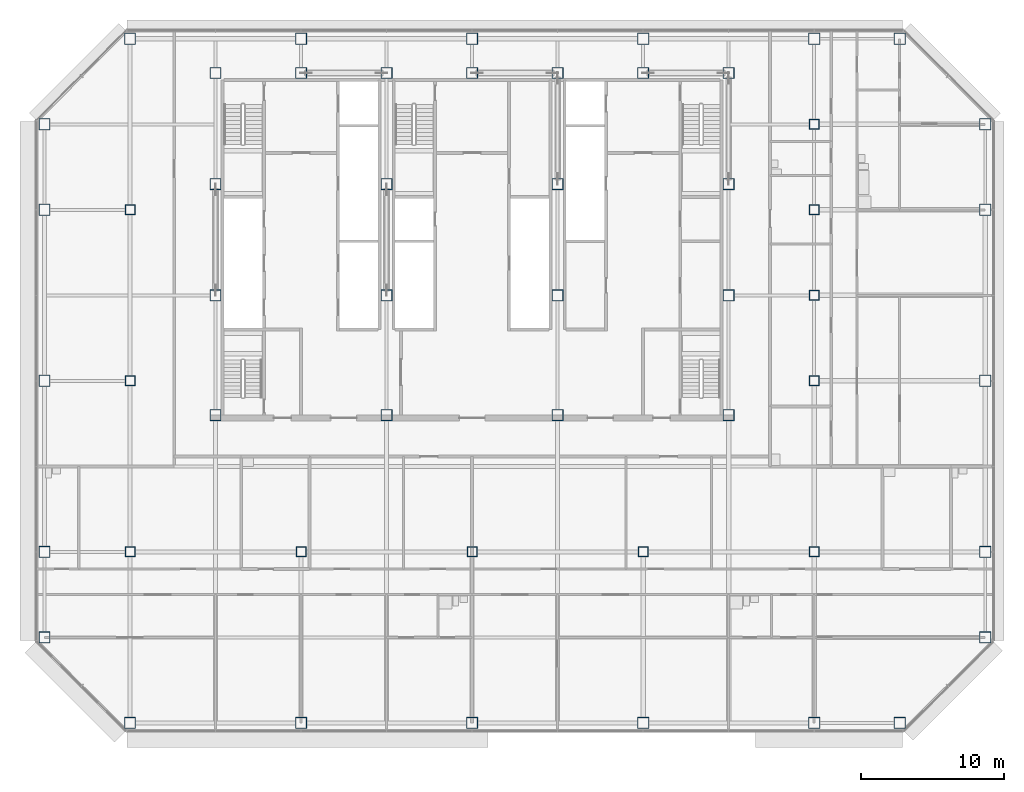
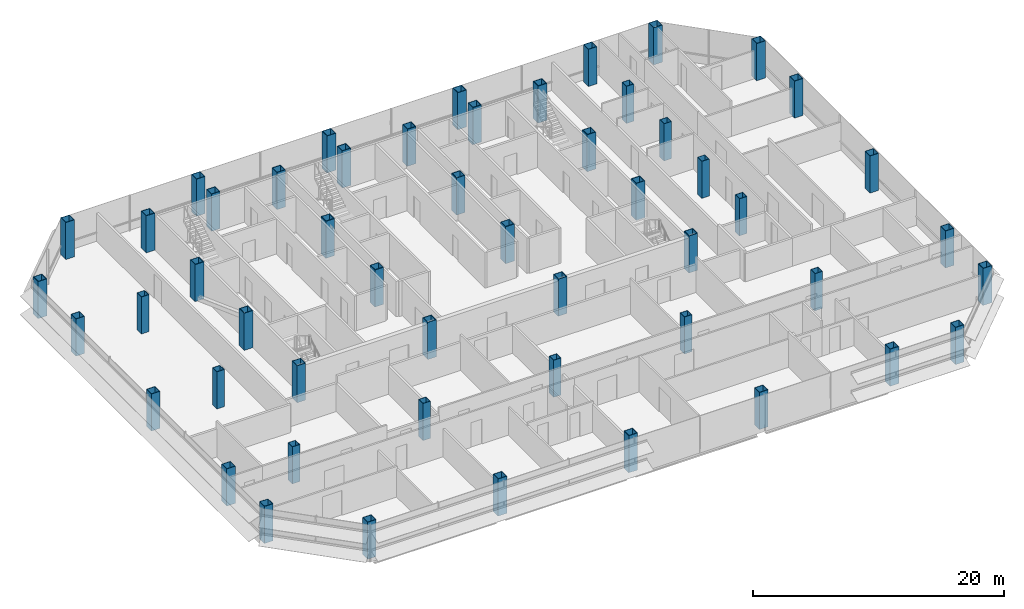
# One storey, part 1 of 25: 52 columns.
"""IFC4 building model written with IfcOpenShell, lengths in metres."""

from ifc_helpers import new_model, si_unit, direction, frame, origin, origin_2d, place, context, subcontext, project, spatial, hollow_rectangle, extrude, material, material_profile, profile_set, type_object, element, save


model = new_model("IFC4")

# Units and contexts
model_context = context("Model", 3, precision=1e-05, world=origin(), true_north=direction((0.0, 1.0)))
body_context = subcontext(model_context, "Body", "Model", "MODEL_VIEW")
ifc_project = project(units=[si_unit("LENGTHUNIT", "METRE"), si_unit("AREAUNIT", "SQUARE_METRE"), si_unit("VOLUMEUNIT", "CUBIC_METRE"), si_unit("PLANEANGLEUNIT", "RADIAN"), si_unit("MASSUNIT", "GRAM", prefix="KILO")], contexts=[model_context])

# Site, building, storey
site_placement = place(None, origin())
site = spatial("IfcSite", under=ifc_project, at=site_placement, CompositionType="ELEMENT")
building_placement = place(site_placement, origin())
building = spatial("IfcBuilding", under=site, at=building_placement, Name="Sorahane Residences", CompositionType="ELEMENT")
storey_placement = place(building_placement, frame((0.0, 0.0, 99.800048828125)))
storey = spatial("IfcBuildingStorey", under=building, at=storey_placement, Name="L21", CompositionType="ELEMENT", Elevation=99.800048828125)

# Columns
ifc_material_1 = material(Name="Steel Q355B", Category="steel")
ifc_material_profile_1 = material_profile(ifc_material_1, hollow_rectangle(XDim=0.699951171875, YDim=0.699951171875, WallThickness=0.035888671875, at=origin_2d()), Name="BOX 700x700x36")
ifc_profile_set_1 = profile_set([ifc_material_profile_1], Name="Steel Q355B")
column_type_1 = type_object("IfcColumnType", Name="Steel box column BOX 700x700x36 Q355B", PredefinedType="COLUMN", material=ifc_profile_set_1)
for number, where, z_axis, x_axis, name in (
    (1, (0.0, 12.0, 0.0), (0.0, 0.0, 1.0), (1.0, 0.0, 0.0), "Column L21 0/12"),
    (2, (0.0, 24.0, 0.0), (0.0, 0.0, 1.0), (1.0, 0.0, 0.0), "Column L21 0/24"),
    (3, (0.0, 36.0, 0.0), (0.0, 0.0, 1.0), (1.0, 0.0, 0.0), "Column L21 0/36"),
    (4, (12.0, 12.0, 0.0), (0.0, 0.0, 1.0), (1.0, 0.0, 0.0), "Column L21 12/12"),
    (5, (24.0, 12.0, 0.0), (0.0, 0.0, 1.0), (1.0, 0.0, 0.0), "Column L21 24/12"),
    (6, (36.0, 12.0, 0.0), (0.0, 0.0, 1.0), (1.0, 0.0, 0.0), "Column L21 36/12"),
    (7, (48.0, 12.0, 0.0), (0.0, 0.0, 1.0), (1.0, 0.0, 0.0), "Column L21 48/12"),
    (8, (48.0, 24.0, 0.0), (0.0, 0.0, 1.0), (1.0, 0.0, 0.0), "Column L21 48/24"),
    (9, (48.0, 30.0, 0.0), (0.0, 0.0, 1.0), (1.0, 0.0, 0.0), "Column L21 48/30"),
    (10, (48.0, 36.0, 0.0), (0.0, 0.0, 1.0), (1.0, 0.0, 0.0), "Column L21 48/36"),
    (11, (48.0, 42.0, 0.0), (0.0, 0.0, 1.0), (1.0, 0.0, 0.0), "Column L21 48/42"),
):
    element("IfcColumn", number, at=place(storey_placement, frame(where, z_axis=z_axis, x_axis=x_axis)), inside=storey, type_object=column_type_1, Name=name, PredefinedType="COLUMN", context=body_context, shape_type="SweptSolid", body=[
        extrude(hollow_rectangle(XDim=0.699951171875, YDim=0.699951171875, WallThickness=0.035888671875, at=origin_2d()), origin(), (0.0, 0.0, 1.0), 3.599853515625),
    ])
ifc_material_2 = material(Name="Steel Q355B", Category="steel")
ifc_material_profile_2 = material_profile(ifc_material_2, hollow_rectangle(XDim=0.800048828125, YDim=0.800048828125, WallThickness=0.0400390625, at=origin_2d()), Name="BOX 800x800x40")
ifc_profile_set_2 = profile_set([ifc_material_profile_2], Name="Steel Q355B")
column_type_2 = type_object("IfcColumnType", Name="Steel box column BOX 800x800x40 Q355B", PredefinedType="COLUMN", material=ifc_profile_set_2)
for number, where, z_axis, x_axis, name in (
    (12, (-6.0, 6.0, 0.0), (0.0, 0.0, 1.0), (1.0, 0.0, 0.0), "Column L21 m6/6"),
    (13, (-6.0, 12.0, 0.0), (0.0, 0.0, 1.0), (1.0, 0.0, 0.0), "Column L21 m6/12"),
    (14, (-6.0, 24.0, 0.0), (0.0, 0.0, 1.0), (1.0, 0.0, 0.0), "Column L21 m6/24"),
    (15, (-6.0, 36.0, 0.0), (0.0, 0.0, 1.0), (1.0, 0.0, 0.0), "Column L21 m6/36"),
    (16, (-6.0, 42.0, 0.0), (0.0, 0.0, 1.0), (1.0, 0.0, 0.0), "Column L21 m6/42"),
    (17, (0.0, 0.0, 0.0), (0.0, 0.0, 1.0), (1.0, 0.0, 0.0), "Column L21 0/0"),
    (18, (0.0, 48.0, 0.0), (0.0, 0.0, 1.0), (1.0, 0.0, 0.0), "Column L21 0/48"),
    (19, (12.0, 0.0, 0.0), (0.0, 0.0, 1.0), (1.0, 0.0, 0.0), "Column L21 12/0"),
    (20, (12.0, 48.0, 0.0), (0.0, 0.0, 1.0), (1.0, 0.0, 0.0), "Column L21 12/48"),
    (21, (24.0, 0.0, 0.0), (0.0, 0.0, 1.0), (1.0, 0.0, 0.0), "Column L21 24/0"),
    (22, (24.0, 48.0, 0.0), (0.0, 0.0, 1.0), (1.0, 0.0, 0.0), "Column L21 24/48"),
    (23, (36.0, 0.0, 0.0), (0.0, 0.0, 1.0), (1.0, 0.0, 0.0), "Column L21 36/0"),
    (24, (36.0, 48.0, 0.0), (0.0, 0.0, 1.0), (1.0, 0.0, 0.0), "Column L21 36/48"),
    (25, (48.0, 0.0, 0.0), (0.0, 0.0, 1.0), (1.0, 0.0, 0.0), "Column L21 48/0"),
    (26, (48.0, 48.0, 0.0), (0.0, 0.0, 1.0), (1.0, 0.0, 0.0), "Column L21 48/48"),
    (27, (54.0, 0.0, 0.0), (0.0, 0.0, 1.0), (1.0, 0.0, 0.0), "Column L21 54/0"),
    (28, (54.0, 48.0, 0.0), (0.0, 0.0, 1.0), (1.0, 0.0, 0.0), "Column L21 54/48"),
    (29, (60.0, 6.0, 0.0), (0.0, 0.0, 1.0), (1.0, 0.0, 0.0), "Column L21 60/6"),
    (30, (60.0, 12.0, 0.0), (0.0, 0.0, 1.0), (1.0, 0.0, 0.0), "Column L21 60/12"),
    (31, (60.0, 24.0, 0.0), (0.0, 0.0, 1.0), (1.0, 0.0, 0.0), "Column L21 60/24"),
    (32, (60.0, 36.0, 0.0), (0.0, 0.0, 1.0), (1.0, 0.0, 0.0), "Column L21 60/36"),
    (33, (60.0, 42.0, 0.0), (0.0, 0.0, 1.0), (1.0, 0.0, 0.0), "Column L21 60/42"),
):
    element("IfcColumn", number, at=place(storey_placement, frame(where, z_axis=z_axis, x_axis=x_axis)), inside=storey, type_object=column_type_2, Name=name, PredefinedType="COLUMN", context=body_context, shape_type="SweptSolid", body=[
        extrude(hollow_rectangle(XDim=0.800048828125, YDim=0.800048828125, WallThickness=0.0400390625, at=origin_2d()), origin(), (0.0, 0.0, 1.0), 3.599853515625),
    ])
ifc_material_3 = material(Name="Steel Q420GJ", Category="steel")
ifc_material_profile_3 = material_profile(ifc_material_3, hollow_rectangle(XDim=0.800048828125, YDim=0.800048828125, WallThickness=0.050048828125, at=origin_2d()), Name="BOX 800x800x50")
ifc_profile_set_3 = profile_set([ifc_material_profile_3], Name="Steel Q420GJ")
column_type_3 = type_object("IfcColumnType", Name="Steel box column BOX 800x800x50 Q420GJ", PredefinedType="COLUMN", material=ifc_profile_set_3)
for number, where, z_axis, x_axis, name in (
    (34, (6.0, 21.60009765625, 0.0), (0.0, 0.0, 1.0), (1.0, 0.0, 0.0), "Column L21 6/21.6"),
    (35, (6.0, 30.0, 0.0), (0.0, 0.0, 1.0), (1.0, 0.0, 0.0), "Column L21 6/30"),
    (36, (6.0, 37.800048828125, 0.0), (0.0, 0.0, 1.0), (1.0, 0.0, 0.0), "Column L21 6/37.8"),
    (37, (6.0, 45.60009765625, 0.0), (0.0, 0.0, 1.0), (1.0, 0.0, 0.0), "Column L21 6/45.6"),
    (38, (12.0, 45.60009765625, 0.0), (0.0, 0.0, 1.0), (1.0, 0.0, 0.0), "Column L21 12/45.6"),
    (39, (18.0, 21.60009765625, 0.0), (0.0, 0.0, 1.0), (1.0, 0.0, 0.0), "Column L21 18/21.6"),
    (40, (18.0, 30.0, 0.0), (0.0, 0.0, 1.0), (1.0, 0.0, 0.0), "Column L21 18/30"),
    (41, (18.0, 37.800048828125, 0.0), (0.0, 0.0, 1.0), (1.0, 0.0, 0.0), "Column L21 18/37.8"),
    (42, (18.0, 45.60009765625, 0.0), (0.0, 0.0, 1.0), (1.0, 0.0, 0.0), "Column L21 18/45.6"),
    (43, (24.0, 45.60009765625, 0.0), (0.0, 0.0, 1.0), (1.0, 0.0, 0.0), "Column L21 24/45.6"),
    (44, (30.0, 21.60009765625, 0.0), (0.0, 0.0, 1.0), (1.0, 0.0, 0.0), "Column L21 30/21.6"),
    (45, (30.0, 30.0, 0.0), (0.0, 0.0, 1.0), (1.0, 0.0, 0.0), "Column L21 30/30"),
    (46, (30.0, 37.800048828125, 0.0), (0.0, 0.0, 1.0), (1.0, 0.0, 0.0), "Column L21 30/37.8"),
    (47, (30.0, 45.60009765625, 0.0), (0.0, 0.0, 1.0), (1.0, 0.0, 0.0), "Column L21 30/45.6"),
    (48, (36.0, 45.60009765625, 0.0), (0.0, 0.0, 1.0), (1.0, 0.0, 0.0), "Column L21 36/45.6"),
    (49, (42.0, 21.60009765625, 0.0), (0.0, 0.0, 1.0), (1.0, 0.0, 0.0), "Column L21 42/21.6"),
    (50, (42.0, 30.0, 0.0), (0.0, 0.0, 1.0), (1.0, 0.0, 0.0), "Column L21 42/30"),
    (51, (42.0, 37.800048828125, 0.0), (0.0, 0.0, 1.0), (1.0, 0.0, 0.0), "Column L21 42/37.8"),
    (52, (42.0, 45.60009765625, 0.0), (0.0, 0.0, 1.0), (1.0, 0.0, 0.0), "Column L21 42/45.6"),
):
    element("IfcColumn", number, at=place(storey_placement, frame(where, z_axis=z_axis, x_axis=x_axis)), inside=storey, type_object=column_type_3, Name=name, PredefinedType="COLUMN", context=body_context, shape_type="SweptSolid", body=[
        extrude(hollow_rectangle(XDim=0.800048828125, YDim=0.800048828125, WallThickness=0.050048828125, at=origin_2d()), origin(), (0.0, 0.0, 1.0), 3.599853515625),
    ])

save(model, "model.ifc")
